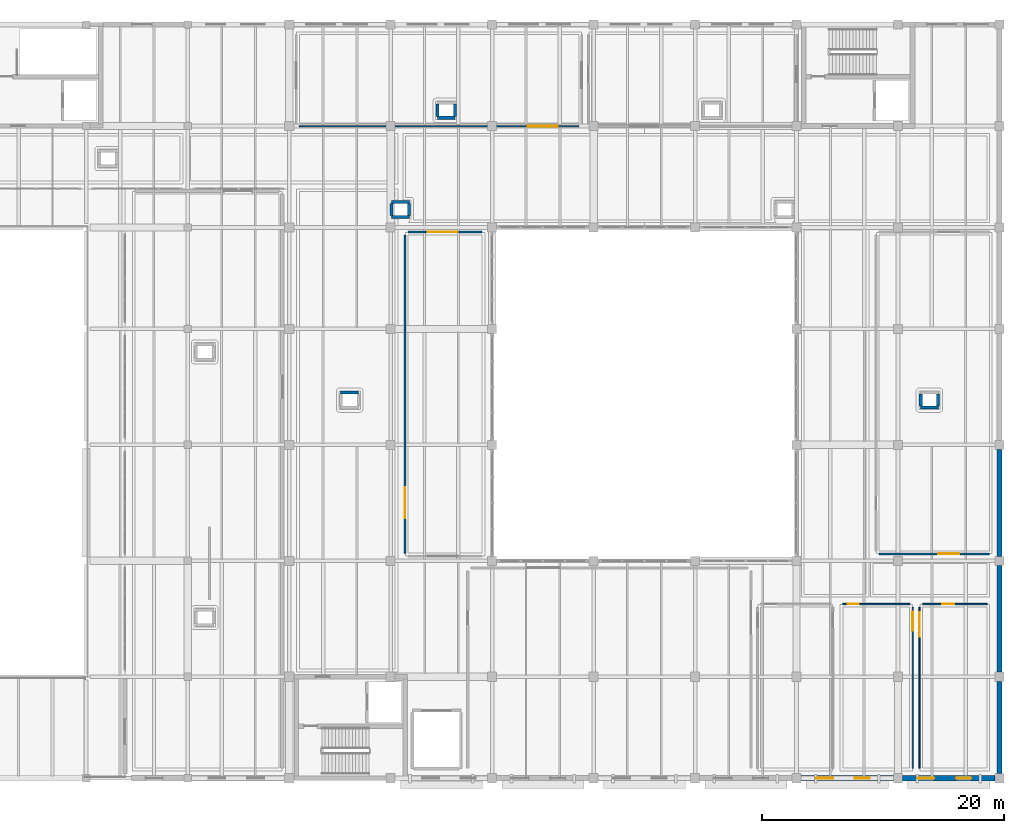
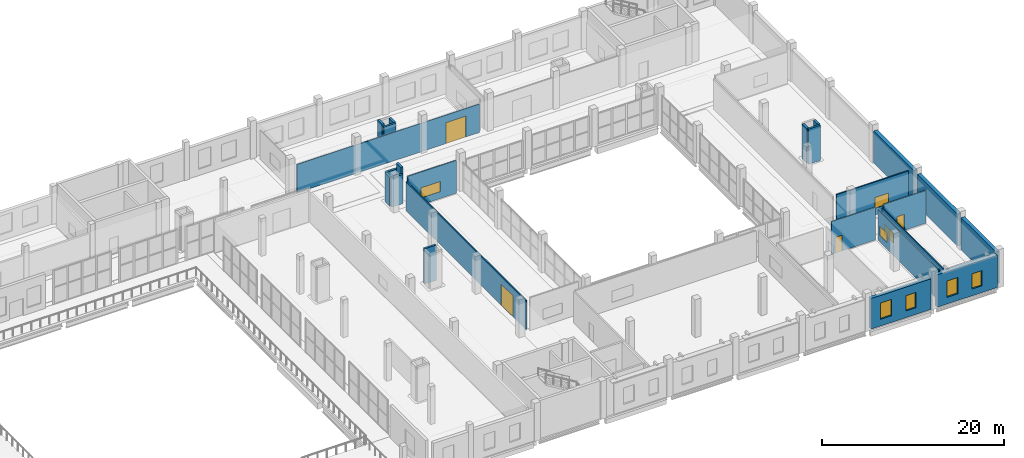
# One storey, part 63 of 77: 24 walls, 8 windows, 4 doors, 12 openings.
"""IFC4 building model written with IfcOpenShell, lengths in metres."""

import ifcopenshell
import ifcopenshell.guid

model = None  # the IFC model being written
_history = None  # IfcOwnerHistory: only IFC2X3 demands one
_inside = {}  # id of a spatial element -> (the spatial element, [elements in it])
_under = {}  # id of a project, library or spatial element -> (it, [spatial elements below it])
_declared = {}  # id of a project -> (the project, [libraries it declares])
_typed = {}  # id of a type object -> (the type object, [elements of that type])
_made_of = {}  # id of a material, layer set ... -> (it, [elements and type objects made of it])


def new_model(schema):
    """Start an empty IFC model of exactly this schema.

    Asked for "IFC4X3", IfcOpenShell would pick the latest addendum, in which some entities
    have other attributes; the version numbers below select the first issue.
    IFC2X3 requires an IfcOwnerHistory on every rooted entity: one is made here for all.
    """
    global model, _history
    if schema == "IFC4X3":
        model = ifcopenshell.file(schema_version=(4, 3, 0, 0))
    else:
        model = ifcopenshell.file(schema=schema)
    _inside.clear()
    _under.clear()
    _declared.clear()
    _typed.clear()
    _made_of.clear()
    _history = None
    if model.schema == "IFC2X3":
        org = make("IfcOrganization", Name="unknown")
        user = make(
            "IfcPersonAndOrganization",
            ThePerson=make("IfcPerson", FamilyName="unknown"),
            TheOrganization=org,
        )
        app = make(
            "IfcApplication",
            ApplicationDeveloper=org,
            Version="unknown",
            ApplicationFullName="unknown",
            ApplicationIdentifier="unknown",
        )
        _history = make(
            "IfcOwnerHistory",
            OwningUser=user,
            OwningApplication=app,
            ChangeAction="ADDED",
            CreationDate=0,
        )
    return model


def make(cls, **values):
    """One entity of the class cls with the attributes given. An attribute that is None is left unset."""
    return model.create_entity(
        cls, **{name: value for name, value in values.items() if value is not None}
    )


def rooted(cls, **values):
    """An entity with a GlobalId (a new one), such as an element, a storey or a relation."""
    return make(cls, GlobalId=ifcopenshell.guid.new(), OwnerHistory=_history, **values)


def si_unit(unit_type, name, prefix=None):
    """IfcSIUnit, for example si_unit("LENGTHUNIT", "METRE", prefix="MILLI")."""
    return make("IfcSIUnit", UnitType=unit_type, Prefix=prefix, Name=name)


def assignment(units):
    """IfcUnitAssignment: the units of a project."""
    return None if units is None else make("IfcUnitAssignment", Units=units)


def point(xyz):
    """IfcCartesianPoint."""
    return None if xyz is None else make("IfcCartesianPoint", Coordinates=xyz)


def direction(xyz):
    """IfcDirection."""
    return None if xyz is None else make("IfcDirection", DirectionRatios=xyz)


def frame(location, z_axis=None, x_axis=None):
    """IfcAxis2Placement3D, a coordinate frame: its origin and axes. An axis left out is left unset."""
    return make(
        "IfcAxis2Placement3D",
        Location=point(location),
        Axis=direction(z_axis),
        RefDirection=direction(x_axis),
    )


def frame_2d(location, x_axis=None):
    """IfcAxis2Placement2D, a coordinate frame in the plane: its origin and x axis."""
    return make(
        "IfcAxis2Placement2D", Location=point(location), RefDirection=direction(x_axis)
    )


def origin():
    """The frame at (0, 0, 0) with its axes left unset."""
    return frame((0.0, 0.0, 0.0))


def place(relative_to, where):
    """IfcLocalPlacement: puts the frame where relative to a parent placement (None: the world)."""
    return make(
        "IfcLocalPlacement", PlacementRelTo=relative_to, RelativePlacement=where
    )


def context(
    kind, dimensions, precision=None, world=None, true_north=None, identifier=None
):
    """IfcGeometricRepresentationContext, for example the 3D "Model" context."""
    return make(
        "IfcGeometricRepresentationContext",
        ContextIdentifier=identifier,
        ContextType=kind,
        CoordinateSpaceDimension=dimensions,
        Precision=precision,
        WorldCoordinateSystem=world,
        TrueNorth=true_north,
    )


def subcontext(parent, identifier, kind, view, scale=None):
    """IfcGeometricRepresentationSubContext, for example "Body" below "Model"."""
    return make(
        "IfcGeometricRepresentationSubContext",
        ContextIdentifier=identifier,
        ContextType=kind,
        ParentContext=parent,
        TargetScale=scale,
        TargetView=view,
    )


def project(units=None, contexts=None):
    """IfcProject with its units and contexts."""
    return rooted(
        "IfcProject",
        Name="project",
        RepresentationContexts=contexts,
        UnitsInContext=assignment(units),
    )


def spatial(cls, under=None, at=None, **own):
    """A site, building, storey or space (cls), placed at a placement, below another one or the project."""
    s = rooted(cls, ObjectPlacement=at, **own)
    if under is not None:
        _under.setdefault(under.id(), (under, []))[1].append(s)
    return s


def profile(cls, at=None, kind="AREA", **sizes):
    """A parametric profile (cls). Its sizes go by their IFC names, for example OverallWidth=200.0."""
    return make(cls, ProfileType=kind, Position=at, **sizes)


def rectangle(**sizes):
    """IfcRectangleProfileDef."""
    return profile("IfcRectangleProfileDef", **sizes)


def extrude(swept, where, along, depth):
    """IfcExtrudedAreaSolid: the profile swept, set in the frame where, extruded along a direction by depth."""
    return make(
        "IfcExtrudedAreaSolid",
        SweptArea=swept,
        Position=where,
        ExtrudedDirection=direction(along),
        Depth=depth,
    )


def shape(context_of_items, identifier, shape_type, items):
    """IfcShapeRepresentation: the items that make up one representation, for example the "Body"."""
    return make(
        "IfcShapeRepresentation",
        ContextOfItems=context_of_items,
        RepresentationIdentifier=identifier,
        RepresentationType=shape_type,
        Items=items,
    )


def material(Name=None, Category=None):
    """IfcMaterial."""
    return make("IfcMaterial", Name=Name, Category=Category)


def layer(
    of_material, thickness, ventilated=None, Name=None, Category=None, Priority=None
):
    """IfcMaterialLayer: one layer of a wall or slab, of a material (None: an air gap)."""
    return make(
        "IfcMaterialLayer",
        Material=of_material,
        LayerThickness=thickness,
        IsVentilated=ventilated,
        Name=Name,
        Category=Category,
        Priority=Priority,
    )


def layer_set(layers, Name=None):
    """IfcMaterialLayerSet."""
    return make("IfcMaterialLayerSet", MaterialLayers=layers, LayerSetName=Name)


def made_of(thing, what):
    """Note that an element or type object is made of a material, layer set ...; save() writes the relation."""
    if what is not None:
        _made_of.setdefault(what.id(), (what, []))[1].append(thing)
    return thing


def type_object(cls, material=None, **own):
    """A type object (cls), such as IfcWallType, which elements share."""
    return made_of(rooted(cls, **own), material)


def element(
    cls,
    number,
    at=None,
    inside=None,
    cuts=None,
    type_object=None,
    material=None,
    context=None,
    identifier="Body",
    shape_type=None,
    held_by="IfcProductDefinitionShape",
    body=None,
    shapes=None,
    **own,
):
    """One element of the class cls, such as IfcWall. Its Tag is "e" and its number.

    at: its placement. inside: the storey or other place that contains it. cuts: it is an
    opening in that element (IfcRelVoidsElement). A single representation is given by context,
    identifier, shape_type and body (its items); several are given by shapes. held_by: the class
    of the entity that holds the representations. save() writes the other relations.
    """
    e = rooted(cls, Tag="e%d" % number, ObjectPlacement=at, **own)
    if body is not None:
        shapes = [shape(context, identifier, shape_type, body)]
    if shapes is not None:
        e.Representation = make(held_by, Representations=shapes)
    if inside is not None:
        _inside.setdefault(inside.id(), (inside, []))[1].append(e)
    if cuts is not None:
        rooted(
            "IfcRelVoidsElement", RelatingBuildingElement=cuts, RelatedOpeningElement=e
        )
    if type_object is not None:
        _typed.setdefault(type_object.id(), (type_object, []))[1].append(e)
    return made_of(e, material)


def fill(opening, filler):
    """IfcRelFillsElement: the door or window that sits in an opening."""
    return rooted(
        "IfcRelFillsElement",
        RelatingOpeningElement=opening,
        RelatedBuildingElement=filler,
    )


def aggregate(whole, parts):
    """IfcRelAggregates: a whole, such as a stair, and the parts it consists of."""
    return rooted("IfcRelAggregates", RelatingObject=whole, RelatedObjects=parts)


def save(model, path):
    """Write the relations noted so far, then the file.

    IfcRelAggregates (storeys below a building ...), IfcRelContainedInSpatialStructure (elements
    in a storey), IfcRelDefinesByType, IfcRelAssociatesMaterial and IfcRelDeclares: one each for
    every whole, place, type object, material and project.
    """
    for whole, parts in _under.values():
        aggregate(whole, parts)
    for where, things in _inside.values():
        rooted(
            "IfcRelContainedInSpatialStructure",
            RelatedElements=things,
            RelatingStructure=where,
        )
    for kind, things in _typed.values():
        rooted("IfcRelDefinesByType", RelatedObjects=things, RelatingType=kind)
    for what, things in _made_of.values():
        rooted("IfcRelAssociatesMaterial", RelatedObjects=things, RelatingMaterial=what)
    for by, libraries in _declared.values():
        rooted("IfcRelDeclares", RelatingContext=by, RelatedDefinitions=libraries)
    model.write(path)


model = new_model("IFC4")

# Units and contexts
model_context = context("Model", 3, precision=1e-05, world=origin(), true_north=direction((0.0, 1.0)))
body_context = subcontext(model_context, "Body", "Model", "MODEL_VIEW")
ifc_project = project(units=[si_unit("LENGTHUNIT", "METRE"), si_unit("AREAUNIT", "SQUARE_METRE"), si_unit("VOLUMEUNIT", "CUBIC_METRE"), si_unit("PLANEANGLEUNIT", "RADIAN"), si_unit("MASSUNIT", "GRAM", prefix="KILO")], contexts=[model_context])

# Site, building, storey
site_placement = place(None, origin())
site = spatial("IfcSite", under=ifc_project, at=site_placement, CompositionType="ELEMENT")
building_placement = place(site_placement, origin())
building = spatial("IfcBuilding", under=site, at=building_placement, Name="Zulmaris Art Gallery", CompositionType="ELEMENT")
storey_placement = place(building_placement, frame((0.0, 0.0, 15.60009765625)))
storey = spatial("IfcBuildingStorey", under=building, at=storey_placement, Name="L03", CompositionType="ELEMENT", Elevation=15.60009765625)

# Wall, openings, windows
ifc_material_1 = material(Name="Omani Cream Limestone Ashlar Masonry", Category="masonry")
ifc_layer_1 = layer(ifc_material_1, 0.43994140625)
ifc_layer_set_1 = layer_set([ifc_layer_1], Name="Omani Cream Limestone Ashlar Masonry")
wall_type_1 = type_object("IfcWallType", Name="ENV-WALL-EW01", PredefinedType="SOLIDWALL", material=ifc_layer_set_1)
wall_1_placement = place(storey_placement, frame((183.97705078125, 13.199951171875, 0.0), z_axis=(0.0, 0.0, 1.0), x_axis=(1.0, 0.0, 0.0)))
wall_1 = element("IfcWall", 1, at=wall_1_placement, inside=storey, type_object=wall_type_1, Name="L03 V5 South Facade Bay 5", PredefinedType="SOLIDWALL", context=body_context, shape_type="SweptSolid", body=[
    extrude(rectangle(XDim=7.64599609375, YDim=0.43994140625, at=frame_2d((3.822998046875, 0.0))), origin(), (0.0, 0.0, 1.0), 4.10986328125),
])
opening_1_placement = place(wall_1_placement, frame((1.242919921875, 0.0, 0.89990234375)))
opening_1 = element("IfcOpeningElement", 2, at=opening_1_placement, cuts=wall_1, Name="Opening W04", PredefinedType="OPENING", context=body_context, shape_type="SweptSolid", body=[
    extrude(rectangle(XDim=1.39990234375, YDim=2.199951171875, at=frame_2d((0.699951171875, 1.10009765625))), frame((0.0, 0.22998046875, 0.0), z_axis=(0.0, -1.0, 0.0), x_axis=(1.0, 0.0, 0.0)), (0.0, 0.0, 1.0), 0.4599609375),
])
opening_2_placement = place(wall_1_placement, frame((4.443115234375, 0.0, 0.89990234375)))
opening_2 = element("IfcOpeningElement", 3, at=opening_2_placement, cuts=wall_1, Name="Opening W10", PredefinedType="OPENING", context=body_context, shape_type="SweptSolid", body=[
    extrude(rectangle(XDim=1.25, YDim=2.050048828125, at=frame_2d((0.625, 1.02490234375))), frame((0.0, 0.22998046875, 0.0), z_axis=(0.0, -1.0, 0.0), x_axis=(1.0, 0.0, 0.0)), (0.0, 0.0, 1.0), 0.4599609375),
])
ifc_material_2 = material(Name="Deep-Reveal Limestone Slot Window", Category="masonry")
window_type_1 = type_object("IfcWindowType", Name="WIN-W04", PartitioningType="SINGLE_PANEL", PredefinedType="WINDOW", material=ifc_material_2)
window_1_placement = place(opening_1_placement, origin())
window_1 = element("IfcWindow", 4, at=window_1_placement, inside=storey, type_object=window_type_1, Name="L03 exterior window W04", OverallHeight=2.199951171875, OverallWidth=1.39990234375, PartitioningType="SINGLE_PANEL", PredefinedType="WINDOW", context=body_context, shape_type="SweptSolid", body=[
    extrude(rectangle(XDim=1.39990234375, YDim=2.199951171875, at=frame_2d((0.699951171875, 1.10009765625))), frame((0.0, 0.030029296875, 0.0), z_axis=(0.0, -1.0, 0.0), x_axis=(1.0, 0.0, 0.0)), (0.0, 0.0, 1.0), 0.06005859375),
])
fill(opening_1, window_1)
ifc_material_3 = material(Name="Limestone Deep-Set Lancet Window", Category="masonry")
window_type_2 = type_object("IfcWindowType", Name="WIN-W10", PartitioningType="SINGLE_PANEL", PredefinedType="WINDOW", material=ifc_material_3)
window_2_placement = place(opening_2_placement, origin())
window_2 = element("IfcWindow", 5, at=window_2_placement, inside=storey, type_object=window_type_2, Name="L03 exterior window W10", OverallHeight=2.050048828125, OverallWidth=1.25, PartitioningType="SINGLE_PANEL", PredefinedType="WINDOW", context=body_context, shape_type="SweptSolid", body=[
    extrude(rectangle(XDim=1.25, YDim=2.050048828125, at=frame_2d((0.625, 1.02490234375))), frame((0.0, 0.030029296875, 0.0), z_axis=(0.0, -1.0, 0.0), x_axis=(1.0, 0.0, 0.0)), (0.0, 0.0, 1.0), 0.06005859375),
])
fill(opening_2, window_2)

wall_2_placement = place(storey_placement, frame((192.376953125, 13.199951171875, 0.0), z_axis=(0.0, 0.0, 1.0), x_axis=(1.0, 0.0, 0.0)))
wall_2 = element("IfcWall", 6, at=wall_2_placement, inside=storey, type_object=wall_type_1, Name="L03 V5 South Facade Bay 6", PredefinedType="SOLIDWALL", context=body_context, shape_type="SweptSolid", body=[
    extrude(rectangle(XDim=7.64599609375, YDim=0.43994140625, at=frame_2d((3.822998046875, 0.0))), origin(), (0.0, 0.0, 1.0), 4.35986328125),
])
opening_3_placement = place(wall_2_placement, frame((1.242919921875, 0.0, 0.89990234375)))
opening_3 = element("IfcOpeningElement", 7, at=opening_3_placement, cuts=wall_2, Name="Opening W04", PredefinedType="OPENING", context=body_context, shape_type="SweptSolid", body=[
    extrude(rectangle(XDim=1.39990234375, YDim=2.199951171875, at=frame_2d((0.699951171875, 1.10009765625))), frame((0.0, 0.22998046875, 0.0), z_axis=(0.0, -1.0, 0.0), x_axis=(1.0, 0.0, 0.0)), (0.0, 0.0, 1.0), 0.4599609375),
])
opening_4_placement = place(wall_2_placement, frame((4.443115234375, 0.0, 0.89990234375)))
opening_4 = element("IfcOpeningElement", 8, at=opening_4_placement, cuts=wall_2, Name="Opening W10", PredefinedType="OPENING", context=body_context, shape_type="SweptSolid", body=[
    extrude(rectangle(XDim=1.25, YDim=2.050048828125, at=frame_2d((0.625, 1.02490234375))), frame((0.0, 0.22998046875, 0.0), z_axis=(0.0, -1.0, 0.0), x_axis=(1.0, 0.0, 0.0)), (0.0, 0.0, 1.0), 0.4599609375),
])
window_3_placement = place(opening_3_placement, origin())
window_3 = element("IfcWindow", 9, at=window_3_placement, inside=storey, type_object=window_type_1, Name="L03 exterior window W04", OverallHeight=2.199951171875, OverallWidth=1.39990234375, PartitioningType="SINGLE_PANEL", PredefinedType="WINDOW", context=body_context, shape_type="SweptSolid", body=[
    extrude(rectangle(XDim=1.39990234375, YDim=2.199951171875, at=frame_2d((0.699951171875, 1.10009765625))), frame((0.0, 0.030029296875, 0.0), z_axis=(0.0, -1.0, 0.0), x_axis=(1.0, 0.0, 0.0)), (0.0, 0.0, 1.0), 0.06005859375),
])
fill(opening_3, window_3)
window_4_placement = place(opening_4_placement, origin())
window_4 = element("IfcWindow", 10, at=window_4_placement, inside=storey, type_object=window_type_2, Name="L03 exterior window W10", OverallHeight=2.050048828125, OverallWidth=1.25, PartitioningType="SINGLE_PANEL", PredefinedType="WINDOW", context=body_context, shape_type="SweptSolid", body=[
    extrude(rectangle(XDim=1.25, YDim=2.050048828125, at=frame_2d((0.625, 1.02490234375))), frame((0.0, 0.030029296875, 0.0), z_axis=(0.0, -1.0, 0.0), x_axis=(1.0, 0.0, 0.0)), (0.0, 0.0, 1.0), 0.06005859375),
])
fill(opening_4, window_4)

# Walls
wall_3_placement = place(storey_placement, frame((200.39990234375, 13.576904296875, 0.0), z_axis=(0.0, 0.0, 1.0), x_axis=(0.0, 1.0, 0.0)))
element("IfcWall", 11, at=wall_3_placement, inside=storey, type_object=wall_type_1, Name="L03 V5 East Infill Party Wall", PredefinedType="SOLIDWALL", context=body_context, shape_type="SweptSolid", body=[
    extrude(rectangle(XDim=7.64599609375, YDim=0.43994140625, at=frame_2d((3.822998046875, 0.0))), origin(), (0.0, 0.0, 1.0), 4.309814453125),
])
wall_4_placement = place(storey_placement, frame((200.39990234375, 21.97705078125, 0.0), z_axis=(0.0, 0.0, 1.0), x_axis=(0.0, 1.0, 0.0)))
element("IfcWall", 12, at=wall_4_placement, inside=storey, type_object=wall_type_1, Name="L03 V5 East Infill Party Wall", PredefinedType="SOLIDWALL", context=body_context, shape_type="SweptSolid", body=[
    extrude(rectangle(XDim=8.845947265625, YDim=0.43994140625, at=frame_2d((4.4228515625, 0.0))), origin(), (0.0, 0.0, 1.0), 4.309814453125),
])
wall_5_placement = place(storey_placement, frame((200.39990234375, 31.576904296875, 0.0), z_axis=(0.0, 0.0, 1.0), x_axis=(0.0, 1.0, 0.0)))
element("IfcWall", 13, at=wall_5_placement, inside=storey, type_object=wall_type_1, Name="L03 V5 East Infill Party Wall", PredefinedType="SOLIDWALL", context=body_context, shape_type="SweptSolid", body=[
    extrude(rectangle(XDim=8.84619140625, YDim=0.43994140625, at=frame_2d((4.423095703125, 0.0))), origin(), (0.0, 0.0, 1.0), 4.309814453125),
])

# Wall, opening, door
ifc_material_4 = material(Name="Acoustic Office Gypsum Partition", Category="gypsum")
ifc_layer_2 = layer(ifc_material_4, 0.10009765625)
ifc_layer_set_2 = layer_set([ifc_layer_2], Name="Acoustic Office Gypsum Partition")
wall_type_2 = type_object("IfcWallType", Name="IWALL-PW01", PredefinedType="PARTITIONING", material=ifc_layer_set_2)
wall_6_placement = place(storey_placement, frame((142.429931640625, 67.179931640625, 0.0), z_axis=(0.0, 0.0, 1.0), x_axis=(1.0, 0.0, 0.0)))
wall_6 = element("IfcWall", 14, at=wall_6_placement, inside=storey, type_object=wall_type_2, Name="Paper & Textile Conservation Studio S partition", PredefinedType="PARTITIONING", context=body_context, shape_type="SweptSolid", body=[
    extrude(rectangle(XDim=23.14013671875, YDim=0.10009765625, at=frame_2d((11.570068359375, 0.0))), origin(), (0.0, 0.0, 1.0), 3.809814453125),
])
opening_5_placement = place(wall_6_placement, frame((18.89990234375, 0.0, 0.0)))
opening_5 = element("IfcOpeningElement", 15, at=opening_5_placement, cuts=wall_6, Name="Opening D28", PredefinedType="OPENING", context=body_context, shape_type="SweptSolid", body=[
    extrude(rectangle(XDim=2.52001953125, YDim=2.800048828125, at=frame_2d((1.260009765625, 1.39990234375))), frame((0.0, 0.06005859375, 0.0), z_axis=(0.0, -1.0, 0.0), x_axis=(1.0, 0.0, 0.0)), (0.0, 0.0, 1.0), 0.1201171875),
])
ifc_material_5 = material(Name="Top-Lit Grand Hall Portal", Category="aluminium")
door_type_1 = type_object("IfcDoorType", Name="IDOOR-D28", OperationType="DOUBLE_SWING_RIGHT", PredefinedType="DOOR", material=ifc_material_5)
door_1_placement = place(opening_5_placement, origin())
door_1 = element("IfcDoor", 16, at=door_1_placement, inside=storey, type_object=door_type_1, Name="Paper & Textile Conservation Studio Door", OperationType="DOUBLE_SWING_RIGHT", OverallHeight=2.800048828125, OverallWidth=2.52001953125, PredefinedType="DOOR", context=body_context, shape_type="SweptSolid", body=[
    extrude(rectangle(XDim=2.52001953125, YDim=2.800048828125, at=frame_2d((1.260009765625, 1.39990234375))), frame((0.0, 0.02490234375, 0.0), z_axis=(0.0, -1.0, 0.0), x_axis=(1.0, 0.0, 0.0)), (0.0, 0.0, 1.0), 0.050048828125),
])
fill(opening_5, door_1)

ifc_material_6 = material(Name="Moisture-Resistant Tile-Backer Wet Wall", Category="gypsum")
ifc_layer_3 = layer(ifc_material_6, 0.114990234375)
ifc_layer_set_3 = layer_set([ifc_layer_3], Name="Moisture-Resistant Tile-Backer Wet Wall")
wall_type_3 = type_object("IfcWallType", Name="IWALL-PW02", PredefinedType="PARTITIONING", material=ifc_layer_set_3)
wall_7_placement = place(storey_placement, frame((187.429931640625, 27.6201171875, 0.0), z_axis=(0.0, 0.0, 1.0), x_axis=(1.0, 0.0, 0.0)))
wall_7 = element("IfcWall", 17, at=wall_7_placement, inside=storey, type_object=wall_type_3, Name="Level 03 Female WC N partition", PredefinedType="PARTITIONING", context=body_context, shape_type="SweptSolid", body=[
    extrude(rectangle(XDim=5.5400390625, YDim=0.114990234375, at=frame_2d((2.77001953125, 0.0))), origin(), (0.0, 0.0, 1.0), 4.3798828125),
])
opening_6_placement = place(wall_7_placement, frame((0.39990234375, 0.0, 0.0)))
opening_6 = element("IfcOpeningElement", 18, at=opening_6_placement, cuts=wall_7, Name="Opening D01", PredefinedType="OPENING", context=body_context, shape_type="SweptSolid", body=[
    extrude(rectangle(XDim=0.89990234375, YDim=2.10009765625, at=frame_2d((0.449951171875, 1.050048828125))), frame((0.0, 0.0673828125, 0.0), z_axis=(0.0, -1.0, 0.0), x_axis=(1.0, 0.0, 0.0)), (0.0, 0.0, 1.0), 0.135009765625),
])
ifc_material_7 = material(Name="Moisture-Resistant WC Door", Category="timber")
door_type_2 = type_object("IfcDoorType", Name="IDOOR-D01", OperationType="NOTDEFINED", PredefinedType="DOOR", material=ifc_material_7)
door_2_placement = place(opening_6_placement, origin())
door_2 = element("IfcDoor", 19, at=door_2_placement, inside=storey, type_object=door_type_2, Name="Level 03 Female WC Door", OperationType="SINGLE_SWING_RIGHT", OverallHeight=2.10009765625, OverallWidth=0.89990234375, PredefinedType="DOOR", context=body_context, shape_type="SweptSolid", body=[
    extrude(rectangle(XDim=0.89990234375, YDim=2.10009765625, at=frame_2d((0.449951171875, 1.050048828125))), frame((0.0, 0.02490234375, 0.0), z_axis=(0.0, -1.0, 0.0), x_axis=(1.0, 0.0, 0.0)), (0.0, 0.0, 1.0), 0.050048828125),
])
fill(opening_6, door_2)

# Wall, opening, window
wall_8_placement = place(storey_placement, frame((193.219970703125, 14.030029296875, 0.0), z_axis=(0.0, 0.0, 1.0), x_axis=(0.0, 1.0, 0.0)))
wall_8 = element("IfcWall", 20, at=wall_8_placement, inside=storey, type_object=wall_type_3, Name="Level 03 Female WC E partition", PredefinedType="PARTITIONING", context=body_context, shape_type="SweptSolid", body=[
    extrude(rectangle(XDim=13.340087890625, YDim=0.114990234375, at=frame_2d((6.669921875, 0.0))), origin(), (0.0, 0.0, 1.0), 4.10986328125),
])
opening_7_placement = place(wall_8_placement, frame((11.360107421875, 0.0, 0.89990234375)))
opening_7 = element("IfcOpeningElement", 21, at=opening_7_placement, cuts=wall_8, Name="Opening IW09", PredefinedType="OPENING", context=body_context, shape_type="SweptSolid", body=[
    extrude(rectangle(XDim=1.580078125, YDim=1.239990234375, at=frame_2d((0.7900390625, 0.6201171875))), frame((0.0, 0.0673828125, 0.0), z_axis=(0.0, -1.0, 0.0), x_axis=(1.0, 0.0, 0.0)), (0.0, 0.0, 1.0), 0.135009765625),
])
ifc_material_8 = material(Name="Registrar Inspection Glazing", Category="glass")
window_type_3 = type_object("IfcWindowType", Name="IWIN-IW09", PartitioningType="SINGLE_PANEL", PredefinedType="WINDOW", material=ifc_material_8)
window_5_placement = place(opening_7_placement, origin())
window_5 = element("IfcWindow", 22, at=window_5_placement, inside=storey, type_object=window_type_3, Name="L03 interior observation window IW09", OverallHeight=1.239990234375, OverallWidth=1.580078125, PartitioningType="SINGLE_PANEL", PredefinedType="WINDOW", context=body_context, shape_type="SweptSolid", body=[
    extrude(rectangle(XDim=1.580078125, YDim=1.239990234375, at=frame_2d((0.7900390625, 0.6201171875))), frame((0.0, 0.030029296875, 0.0), z_axis=(0.0, -1.0, 0.0), x_axis=(1.0, 0.0, 0.0)), (0.0, 0.0, 1.0), 0.06005859375),
])
fill(opening_7, window_5)

# Wall, opening, door
wall_9_placement = place(storey_placement, frame((194.030029296875, 27.6201171875, 0.0), z_axis=(0.0, 0.0, 1.0), x_axis=(1.0, 0.0, 0.0)))
wall_9 = element("IfcWall", 23, at=wall_9_placement, inside=storey, type_object=wall_type_3, Name="Level 03 Accessible WC N partition", PredefinedType="PARTITIONING", context=body_context, shape_type="SweptSolid", body=[
    extrude(rectangle(XDim=5.340087890625, YDim=0.114990234375, at=frame_2d((2.669921875, 0.0))), origin(), (0.0, 0.0, 1.0), 4.3798828125),
])
opening_8_placement = place(wall_9_placement, frame((1.64990234375, 0.0, 0.0)))
opening_8 = element("IfcOpeningElement", 24, at=opening_8_placement, cuts=wall_9, Name="Opening D02", PredefinedType="OPENING", context=body_context, shape_type="SweptSolid", body=[
    extrude(rectangle(XDim=0.9599609375, YDim=2.139892578125, at=frame_2d((0.47998046875, 1.06982421875))), frame((0.0, 0.0673828125, 0.0), z_axis=(0.0, -1.0, 0.0), x_axis=(1.0, 0.0, 0.0)), (0.0, 0.0, 1.0), 0.135009765625),
])
ifc_material_9 = material(Name="Accessible WC Outward-Opening Door", Category="timber")
door_type_3 = type_object("IfcDoorType", Name="IDOOR-D02", OperationType="NOTDEFINED", PredefinedType="DOOR", material=ifc_material_9)
door_3_placement = place(opening_8_placement, origin())
door_3 = element("IfcDoor", 25, at=door_3_placement, inside=storey, type_object=door_type_3, Name="Level 03 Accessible WC Door", OperationType="SINGLE_SWING_LEFT", OverallHeight=2.139892578125, OverallWidth=0.9599609375, PredefinedType="DOOR", context=body_context, shape_type="SweptSolid", body=[
    extrude(rectangle(XDim=0.9599609375, YDim=2.139892578125, at=frame_2d((0.47998046875, 1.06982421875))), frame((0.0, 0.02490234375, 0.0), z_axis=(0.0, -1.0, 0.0), x_axis=(1.0, 0.0, 0.0)), (0.0, 0.0, 1.0), 0.050048828125),
])
fill(opening_8, door_3)

# Wall, opening, window
wall_10_placement = place(storey_placement, frame((193.780029296875, 14.030029296875, 0.0), z_axis=(0.0, 0.0, 1.0), x_axis=(0.0, 1.0, 0.0)))
wall_10 = element("IfcWall", 26, at=wall_10_placement, inside=storey, type_object=wall_type_3, Name="Level 03 Accessible WC W partition", PredefinedType="PARTITIONING", context=body_context, shape_type="SweptSolid", body=[
    extrude(rectangle(XDim=13.340087890625, YDim=0.114990234375, at=frame_2d((6.669921875, 0.0))), origin(), (0.0, 0.0, 1.0), 4.10986328125),
])
opening_9_placement = place(wall_10_placement, frame((10.89990234375, 0.0, 0.89990234375)))
opening_9 = element("IfcOpeningElement", 27, at=opening_9_placement, cuts=wall_10, Name="Opening IW10", PredefinedType="OPENING", context=body_context, shape_type="SweptSolid", body=[
    extrude(rectangle(XDim=2.02001953125, YDim=1.320068359375, at=frame_2d((1.010009765625, 0.66015625))), frame((0.0, 0.0673828125, 0.0), z_axis=(0.0, -1.0, 0.0), x_axis=(1.0, 0.0, 0.0)), (0.0, 0.0, 1.0), 0.135009765625),
])
ifc_material_10 = material(Name="Seminar Acoustic Viewing Window", Category="glass")
window_type_4 = type_object("IfcWindowType", Name="IWIN-IW10", PartitioningType="SINGLE_PANEL", PredefinedType="WINDOW", material=ifc_material_10)
window_6_placement = place(opening_9_placement, origin())
window_6 = element("IfcWindow", 28, at=window_6_placement, inside=storey, type_object=window_type_4, Name="L03 interior observation window IW10", OverallHeight=1.320068359375, OverallWidth=2.02001953125, PartitioningType="SINGLE_PANEL", PredefinedType="WINDOW", context=body_context, shape_type="SweptSolid", body=[
    extrude(rectangle(XDim=2.02001953125, YDim=1.320068359375, at=frame_2d((1.010009765625, 0.66015625))), frame((0.0, 0.030029296875, 0.0), z_axis=(0.0, -1.0, 0.0), x_axis=(1.0, 0.0, 0.0)), (0.0, 0.0, 1.0), 0.06005859375),
])
fill(opening_9, window_6)

# Wall, opening, door
ifc_material_11 = material(Name="Plywood-Backed Gallery Hanging Partition", Category="wood")
ifc_layer_4 = layer(ifc_material_11, 0.14501953125)
ifc_layer_set_4 = layer_set([ifc_layer_4], Name="Plywood-Backed Gallery Hanging Partition")
wall_type_4 = type_object("IfcWallType", Name="IWALL-PW04", PredefinedType="PARTITIONING", material=ifc_layer_set_4)
wall_11_placement = place(storey_placement, frame((151.179931640625, 31.830078125, 0.0), z_axis=(0.0, 0.0, 1.0), x_axis=(0.0, 1.0, 0.0)))
wall_11 = element("IfcWall", 29, at=wall_11_placement, inside=storey, type_object=wall_type_4, Name="Chief Curator & Exhibition Design Suite W partition", PredefinedType="PARTITIONING", context=body_context, shape_type="SweptSolid", body=[
    extrude(rectangle(XDim=26.33984375, YDim=0.14501953125, at=frame_2d((13.169921875, 0.0))), origin(), (0.0, 0.0, 1.0), 3.909912109375),
])
opening_10_placement = place(wall_11_placement, frame((2.89990234375, 0.0, 0.0)))
opening_10 = element("IfcOpeningElement", 30, at=opening_10_placement, cuts=wall_11, Name="Opening VG02", PredefinedType="OPENING", context=body_context, shape_type="SweptSolid", body=[
    extrude(rectangle(XDim=2.580078125, YDim=2.820068359375, at=frame_2d((1.2900390625, 1.41015625))), frame((0.0, 0.08251953125, 0.0), z_axis=(0.0, -1.0, 0.0), x_axis=(1.0, 0.0, 0.0)), (0.0, 0.0, 1.0), 0.1650390625),
])
ifc_material_12 = material(Name="Sculpture Vault Heavy Security Gate B", Category="steel")
door_type_4 = type_object("IfcDoorType", Name="IDOOR-VG02", OperationType="DOUBLE_SWING_RIGHT", PredefinedType="GATE", material=ifc_material_12)
door_4_placement = place(opening_10_placement, origin())
door_4 = element("IfcDoor", 31, at=door_4_placement, inside=storey, type_object=door_type_4, Name="Chief Curator & Exhibition Design Suite Door", OperationType="DOUBLE_SWING_RIGHT", OverallHeight=2.820068359375, OverallWidth=2.580078125, PredefinedType="GATE", context=body_context, shape_type="SweptSolid", body=[
    extrude(rectangle(XDim=2.580078125, YDim=2.820068359375, at=frame_2d((1.2900390625, 1.41015625))), frame((0.0, 0.02490234375, 0.0), z_axis=(0.0, -1.0, 0.0), x_axis=(1.0, 0.0, 0.0)), (0.0, 0.0, 1.0), 0.050048828125),
])
fill(opening_10, door_4)

# Wall, opening, window
wall_12_placement = place(storey_placement, frame((151.429931640625, 58.419921875, 0.0), z_axis=(0.0, 0.0, 1.0), x_axis=(1.0, 0.0, 0.0)))
wall_12 = element("IfcWall", 32, at=wall_12_placement, inside=storey, type_object=wall_type_4, Name="Chief Curator & Exhibition Design Suite N partition", PredefinedType="PARTITIONING", context=body_context, shape_type="SweptSolid", body=[
    extrude(rectangle(XDim=6.14013671875, YDim=0.14501953125, at=frame_2d((3.070068359375, 0.0))), origin(), (0.0, 0.0, 1.0), 4.3798828125),
])
opening_11_placement = place(wall_12_placement, frame((1.64990234375, 0.0, 0.89990234375)))
opening_11 = element("IfcOpeningElement", 33, at=opening_11_placement, cuts=wall_12, Name="Opening IW05", PredefinedType="OPENING", context=body_context, shape_type="SweptSolid", body=[
    extrude(rectangle(XDim=2.4599609375, YDim=1.3798828125, at=frame_2d((1.22998046875, 0.68994140625))), frame((0.0, 0.08251953125, 0.0), z_axis=(0.0, -1.0, 0.0), x_axis=(1.0, 0.0, 0.0)), (0.0, 0.0, 1.0), 0.1650390625),
])
ifc_material_13 = material(Name="Workshop Safety Observation Window", Category="glass")
window_type_5 = type_object("IfcWindowType", Name="IWIN-IW05", PartitioningType="SINGLE_PANEL", PredefinedType="WINDOW", material=ifc_material_13)
window_7_placement = place(opening_11_placement, origin())
window_7 = element("IfcWindow", 34, at=window_7_placement, inside=storey, type_object=window_type_5, Name="L03 interior observation window IW05", OverallHeight=1.3798828125, OverallWidth=2.4599609375, PartitioningType="SINGLE_PANEL", PredefinedType="WINDOW", context=body_context, shape_type="SweptSolid", body=[
    extrude(rectangle(XDim=2.4599609375, YDim=1.3798828125, at=frame_2d((1.22998046875, 0.68994140625))), frame((0.0, 0.030029296875, 0.0), z_axis=(0.0, -1.0, 0.0), x_axis=(1.0, 0.0, 0.0)), (0.0, 0.0, 1.0), 0.06005859375),
])
fill(opening_11, window_7)

ifc_material_14 = material(Name="Timber-Backed Heavy Artwork Display Partition", Category="wood")
ifc_layer_5 = layer(ifc_material_14, 0.159912109375)
ifc_layer_set_5 = layer_set([ifc_layer_5], Name="Timber-Backed Heavy Artwork Display Partition")
wall_type_5 = type_object("IfcWallType", Name="IWALL-PW05", PredefinedType="PARTITIONING", material=ifc_layer_set_5)
wall_13_placement = place(storey_placement, frame((190.429931640625, 31.780029296875, 0.0), z_axis=(0.0, 0.0, 1.0), x_axis=(1.0, 0.0, 0.0)))
wall_13 = element("IfcWall", 35, at=wall_13_placement, inside=storey, type_object=wall_type_5, Name="Museum Administration & Boardroom S partition", PredefinedType="PARTITIONING", context=body_context, shape_type="SweptSolid", body=[
    extrude(rectangle(XDim=9.14013671875, YDim=0.159912109375, at=frame_2d((4.570068359375, 0.0))), origin(), (0.0, 0.0, 1.0), 4.43994140625),
])
opening_12_placement = place(wall_13_placement, frame((4.89990234375, 0.0, 0.89990234375)))
opening_12 = element("IfcOpeningElement", 36, at=opening_12_placement, cuts=wall_13, Name="Opening IW06", PredefinedType="OPENING", context=body_context, shape_type="SweptSolid", body=[
    extrude(rectangle(XDim=1.719970703125, YDim=1.4599609375, at=frame_2d((0.85986328125, 0.72998046875))), frame((0.0, 0.08984375, 0.0), z_axis=(0.0, -1.0, 0.0), x_axis=(1.0, 0.0, 0.0)), (0.0, 0.0, 1.0), 0.179931640625),
])
ifc_material_15 = material(Name="Library Reading Room Internal Glazing", Category="glass")
window_type_6 = type_object("IfcWindowType", Name="IWIN-IW06", PartitioningType="SINGLE_PANEL", PredefinedType="WINDOW", material=ifc_material_15)
window_8_placement = place(opening_12_placement, origin())
window_8 = element("IfcWindow", 37, at=window_8_placement, inside=storey, type_object=window_type_6, Name="L03 interior observation window IW06", OverallHeight=1.4599609375, OverallWidth=1.719970703125, PartitioningType="SINGLE_PANEL", PredefinedType="WINDOW", context=body_context, shape_type="SweptSolid", body=[
    extrude(rectangle(XDim=1.719970703125, YDim=1.4599609375, at=frame_2d((0.85986328125, 0.72998046875))), frame((0.0, 0.030029296875, 0.0), z_axis=(0.0, -1.0, 0.0), x_axis=(1.0, 0.0, 0.0)), (0.0, 0.0, 1.0), 0.06005859375),
])
fill(opening_12, window_8)

# Walls
ifc_material_16 = material(Name="MEP Riser & Smoke Shaft Enclosure Wall", Category="masonry")
ifc_layer_6 = layer(ifc_material_16, 0.2548828125)
ifc_layer_set_6 = layer_set([ifc_layer_6], Name="MEP Riser & Smoke Shaft Enclosure Wall")
wall_type_6 = type_object("IfcWallType", Name="IWALL-PW11", PredefinedType="PARTITIONING", material=ifc_layer_set_6)
for number, where, z_axis, x_axis, name in (
    (38, (150.06005859375, 60.919921875, 0.0), (0.0, 0.0, 1.0), (1.0, 0.0, 0.0), "L03 MEP Riser 13 N wall"),
    (39, (150.06005859375, 59.679931640625, 0.0), (0.0, 0.0, 1.0), (1.0, 0.0, 0.0), "L03 MEP Riser 13 S wall"),
):
    element("IfcWall", number, at=place(storey_placement, frame(where, z_axis=z_axis, x_axis=x_axis)), inside=storey, type_object=wall_type_6, Name=name, PredefinedType="PARTITIONING", context=body_context, shape_type="SweptSolid", body=[
        extrude(rectangle(XDim=1.47998046875, YDim=0.2548828125, at=frame_2d((0.739990234375, 0.0))), origin(), (0.0, 0.0, 1.0), 3.909912109375),
    ])
wall_14_placement = place(storey_placement, frame((150.080078125, 59.800048828125, 0.0), z_axis=(0.0, 0.0, 1.0), x_axis=(0.0, 1.0, 0.0)))
element("IfcWall", 40, at=wall_14_placement, inside=storey, type_object=wall_type_6, Name="L03 MEP Riser 13 W wall", PredefinedType="PARTITIONING", context=body_context, shape_type="SweptSolid", body=[
    extrude(rectangle(XDim=1.0, YDim=0.2548828125, at=frame_2d((0.5, 0.0))), origin(), (0.0, 0.0, 1.0), 3.909912109375),
])
wall_15_placement = place(storey_placement, frame((151.52001953125, 59.800048828125, 0.0), z_axis=(0.0, 0.0, 1.0), x_axis=(0.0, 1.0, 0.0)))
element("IfcWall", 41, at=wall_15_placement, inside=storey, type_object=wall_type_6, Name="L03 MEP Riser 13 E wall", PredefinedType="PARTITIONING", context=body_context, shape_type="SweptSolid", body=[
    extrude(rectangle(XDim=1.0, YDim=0.2548828125, at=frame_2d((0.5, 0.0))), origin(), (0.0, 0.0, 1.0), 4.719970703125),
])
wall_16_placement = place(storey_placement, frame((153.860107421875, 67.8798828125, 0.0), z_axis=(0.0, 0.0, 1.0), x_axis=(1.0, 0.0, 0.0)))
element("IfcWall", 42, at=wall_16_placement, inside=storey, type_object=wall_type_6, Name="L03 MEP Riser 15 S wall", PredefinedType="PARTITIONING", context=body_context, shape_type="SweptSolid", body=[
    extrude(rectangle(XDim=1.47998046875, YDim=0.2548828125, at=frame_2d((0.739990234375, 0.0))), origin(), (0.0, 0.0, 1.0), 4.43994140625),
])
wall_17_placement = place(storey_placement, frame((153.8798828125, 68.0, 0.0), z_axis=(0.0, 0.0, 1.0), x_axis=(0.0, 1.0, 0.0)))
element("IfcWall", 43, at=wall_17_placement, inside=storey, type_object=wall_type_6, Name="L03 MEP Riser 15 W wall", PredefinedType="PARTITIONING", context=body_context, shape_type="SweptSolid", body=[
    extrude(rectangle(XDim=1.0, YDim=0.2548828125, at=frame_2d((0.5, 0.0))), origin(), (0.0, 0.0, 1.0), 4.719970703125),
])
wall_18_placement = place(storey_placement, frame((155.320068359375, 68.0, 0.0), z_axis=(0.0, 0.0, 1.0), x_axis=(0.0, 1.0, 0.0)))
element("IfcWall", 44, at=wall_18_placement, inside=storey, type_object=wall_type_6, Name="L03 MEP Riser 15 E wall", PredefinedType="PARTITIONING", context=body_context, shape_type="SweptSolid", body=[
    extrude(rectangle(XDim=1.0, YDim=0.2548828125, at=frame_2d((0.5, 0.0))), origin(), (0.0, 0.0, 1.0), 4.43994140625),
])
for number, where, z_axis, x_axis, name in (
    (45, (145.860107421875, 45.1201171875, 0.0), (0.0, 0.0, 1.0), (1.0, 0.0, 0.0), "L03 MEP Riser 17 N wall"),
    (46, (193.860107421875, 43.8798828125, 0.0), (0.0, 0.0, 1.0), (1.0, 0.0, 0.0), "L03 MEP Riser 18 S wall"),
):
    element("IfcWall", number, at=place(storey_placement, frame(where, z_axis=z_axis, x_axis=x_axis)), inside=storey, type_object=wall_type_6, Name=name, PredefinedType="PARTITIONING", context=body_context, shape_type="SweptSolid", body=[
        extrude(rectangle(XDim=1.47998046875, YDim=0.2548828125, at=frame_2d((0.739990234375, 0.0))), origin(), (0.0, 0.0, 1.0), 4.719970703125),
    ])
for number, where, z_axis, x_axis, name in (
    (47, (193.8798828125, 44.0, 0.0), (0.0, 0.0, 1.0), (0.0, 1.0, 0.0), "L03 MEP Riser 18 W wall"),
    (48, (195.320068359375, 44.0, 0.0), (0.0, 0.0, 1.0), (0.0, 1.0, 0.0), "L03 MEP Riser 18 E wall"),
):
    element("IfcWall", number, at=place(storey_placement, frame(where, z_axis=z_axis, x_axis=x_axis)), inside=storey, type_object=wall_type_6, Name=name, PredefinedType="PARTITIONING", context=body_context, shape_type="SweptSolid", body=[
        extrude(rectangle(XDim=1.0, YDim=0.2548828125, at=frame_2d((0.5, 0.0))), origin(), (0.0, 0.0, 1.0), 4.719970703125),
    ])

save(model, "model.ifc")
